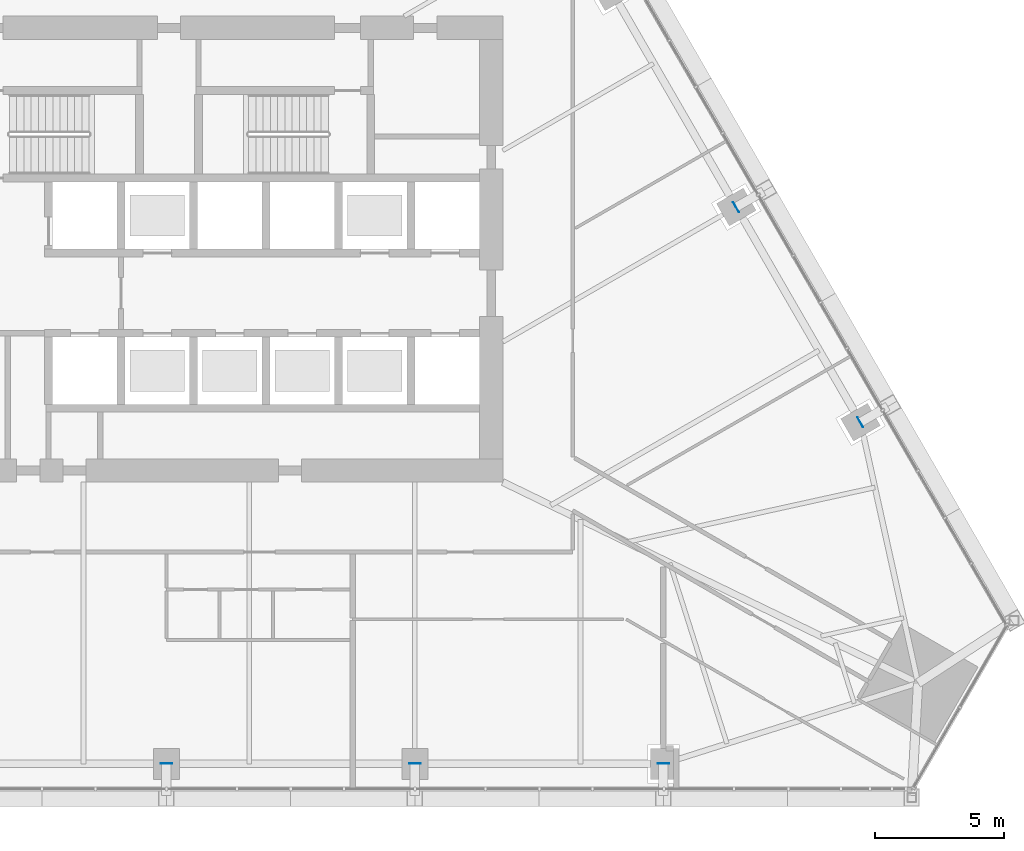
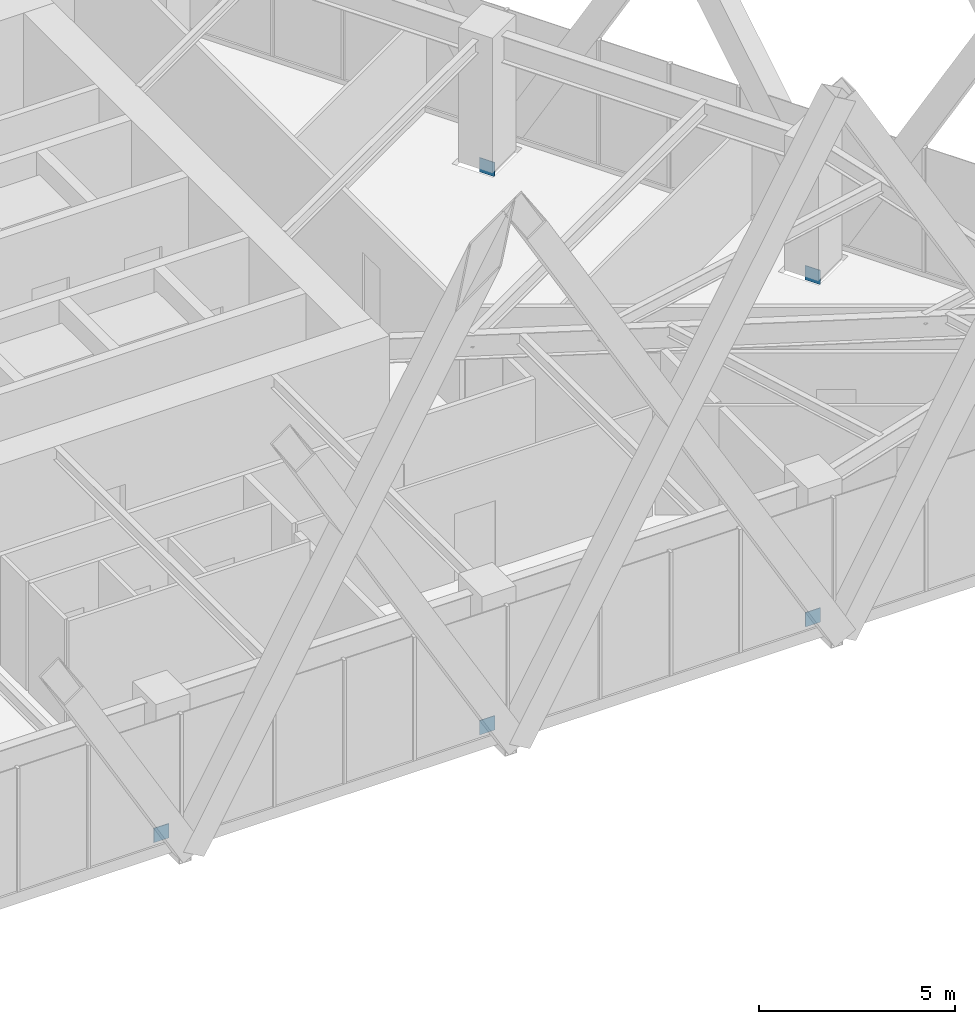
# One storey, part 23 of 26: 5 discrete accessories.
"""IFC4 building model written with IfcOpenShell, lengths in metres."""

from ifc_helpers import new_model, si_unit, direction, frame, origin, origin_2d, place, context, subcontext, project, spatial, rectangle, extrude, material, layer, layer_set, type_object, element, save


model = new_model("IFC4")

# Units and contexts
model_context = context("Model", 3, precision=1e-05, world=origin(), true_north=direction((0.0, 1.0)))
body_context = subcontext(model_context, "Body", "Model", "MODEL_VIEW")
ifc_project = project(units=[si_unit("LENGTHUNIT", "METRE"), si_unit("AREAUNIT", "SQUARE_METRE"), si_unit("VOLUMEUNIT", "CUBIC_METRE"), si_unit("PLANEANGLEUNIT", "RADIAN"), si_unit("MASSUNIT", "GRAM", prefix="KILO")], contexts=[model_context])

# Site, building, storey
site_placement = place(None, origin())
site = spatial("IfcSite", under=ifc_project, at=site_placement, CompositionType="ELEMENT")
building_placement = place(site_placement, origin())
building = spatial("IfcBuilding", under=site, at=building_placement, Name="Firuza Gate Tower and Library", CompositionType="ELEMENT")
storey_placement = place(building_placement, frame((0.0, 0.0, 40.0)))
storey = spatial("IfcBuildingStorey", under=building, at=storey_placement, Name="L08", CompositionType="ELEMENT", Elevation=40.0)

# Discrete accessories
ifc_material = material(Name="Steel S355", Category="steel")
ifc_layer = layer(ifc_material, 0.02001953125)
ifc_layer_set = layer_set([ifc_layer], Name="Tie end plate 450x450x20 Steel S355")
discrete_accessory_type = type_object("IfcDiscreteAccessoryType", Name="Tie end plate 450x450x20 Steel S355", PredefinedType="BRACKET", material=ifc_layer_set)
for number, where, z_axis, x_axis, name in (
    (1, (97.011962890625, 76.62353515625, -0.56298828125), (0.0, 0.0, 1.0), (-0.866025429964, -0.499999954655, 0.0), "Tie end plate"),
    (2, (101.81201171875, 68.3095703125, -0.56298828125), (0.0, 0.0, 1.0), (-0.866025429964, -0.499999954655, 0.0), "Tie end plate"),
    (3, (75.0, 55.12548828125, -0.56298828125), (0.0, 0.0, 1.0), (0.0, 1.0, 0.0), "Tie end plate"),
    (4, (84.60009765625, 55.12548828125, -0.56298828125), (0.0, 0.0, 1.0), (0.0, 1.0, 0.0), "Tie end plate"),
    (5, (94.199951171875, 55.12548828125, -0.56298828125), (0.0, 0.0, 1.0), (0.0, 1.0, 0.0), "Tie end plate"),
):
    element("IfcDiscreteAccessory", number, at=place(storey_placement, frame(where, z_axis=z_axis, x_axis=x_axis)), inside=storey, type_object=discrete_accessory_type, Name=name, PredefinedType="BRACKET", context=body_context, shape_type="SweptSolid", body=[
        extrude(rectangle(XDim=0.02001953125, YDim=0.446044921875, at=origin_2d()), origin(), (0.0, 0.0, 1.0), 0.446044921875),
    ])

save(model, "model.ifc")
